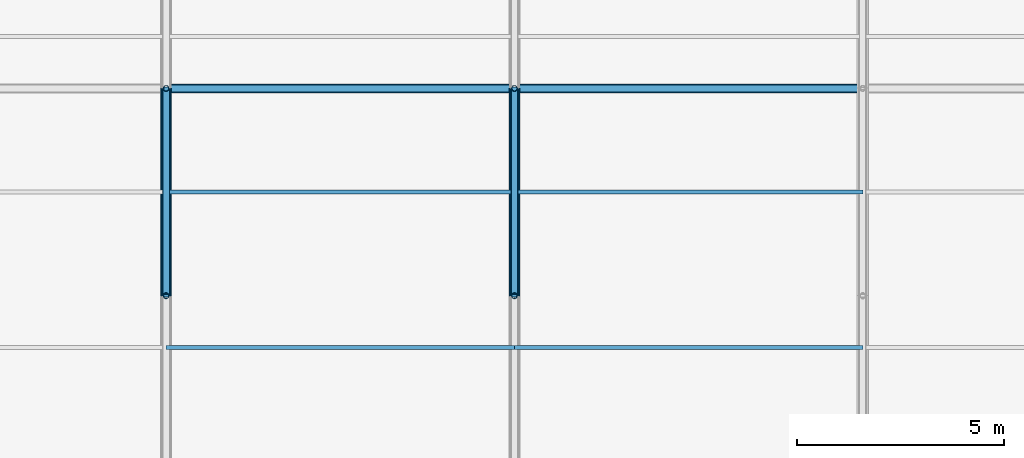
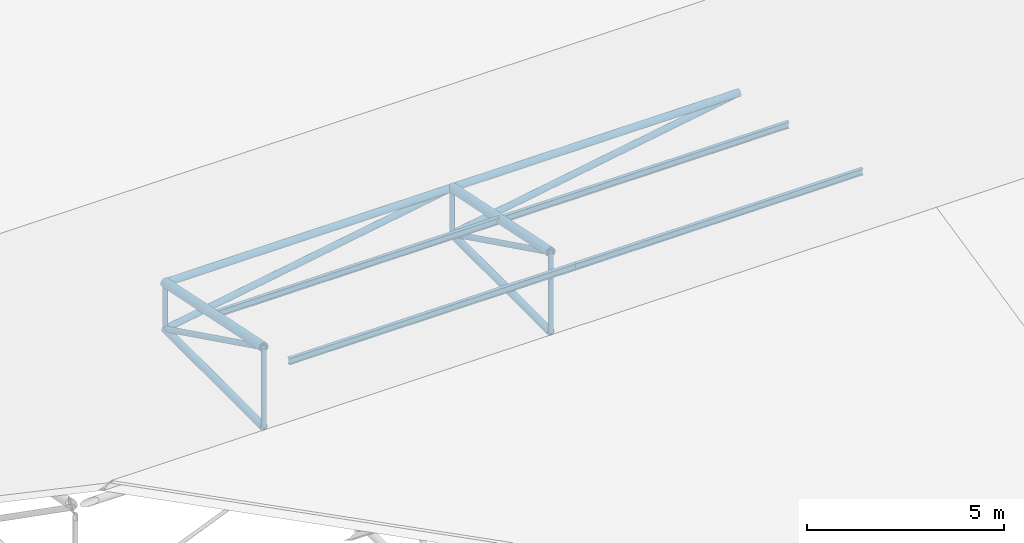
# One storey, part 75 of 194: 14 members, 4 beams.
"""IFC4 building model written with IfcOpenShell, lengths in metres."""

from ifc_helpers import new_model, si_unit, direction, frame, origin, origin_2d, place, context, subcontext, project, spatial, hollow_circle, i_section, extrude, material, material_profile, profile_set, type_object, element, save


model = new_model("IFC4")

# Units and contexts
model_context = context("Model", 3, precision=1e-05, world=origin(), true_north=direction((0.0, 1.0)))
body_context = subcontext(model_context, "Body", "Model", "MODEL_VIEW")
ifc_project = project(units=[si_unit("LENGTHUNIT", "METRE"), si_unit("AREAUNIT", "SQUARE_METRE"), si_unit("VOLUMEUNIT", "CUBIC_METRE"), si_unit("PLANEANGLEUNIT", "RADIAN"), si_unit("MASSUNIT", "GRAM", prefix="KILO")], contexts=[model_context])

# Site, building, storey
site_placement = place(None, origin())
site = spatial("IfcSite", under=ifc_project, at=site_placement, CompositionType="ELEMENT")
building_placement = place(site_placement, origin())
building = spatial("IfcBuilding", under=site, at=building_placement, Name="Kazenagashi Tramway Depot", CompositionType="ELEMENT")
storey_placement = place(building_placement, frame((0.0, 0.0, 23.7)))
storey = spatial("IfcBuildingStorey", under=building, at=storey_placement, Name="ROOF", CompositionType="ELEMENT", Elevation=23.7)

# Beams
ifc_material_1 = material(Name="Steel SN400B", Category="steel")
ifc_material_profile_1 = material_profile(ifc_material_1, i_section(OverallWidth=0.1, OverallDepth=0.2, WebThickness=0.0055, FlangeThickness=0.008, at=origin_2d()), Name="H-200x100x5.5x8")
ifc_profile_set_1 = profile_set([ifc_material_profile_1], Name="Steel SN400B")
beam_type = type_object("IfcBeamType", Name="PR-01", PredefinedType="USERDEFINED", material=ifc_profile_set_1)
for number, where, z_axis, x_axis, name in (
    (1, (128.8, 88.75, -11.305), (1.0, 0.0, 0.0), (0.0, 1.0, 0.0), "Beam PR-01 BM-2082"),
    (2, (137.2, 88.75, -11.305), (1.0, 0.0, 0.0), (0.0, 1.0, 0.0), "Beam PR-01 BM-2083"),
    (3, (128.8, 92.5, -12.13), (1.0, 0.0, 0.0), (0.0, 1.0, 0.0), "Beam PR-01 BM-2100"),
    (4, (137.2, 92.5, -12.13), (1.0, 0.0, 0.0), (0.0, 1.0, 0.0), "Beam PR-01 BM-2101"),
):
    element("IfcBeam", number, at=place(storey_placement, frame(where, z_axis=z_axis, x_axis=x_axis)), inside=storey, type_object=beam_type, Name=name, ObjectType="PURLIN", PredefinedType="USERDEFINED", context=body_context, shape_type="SweptSolid", body=[
        extrude(i_section(OverallWidth=0.1, OverallDepth=0.2, WebThickness=0.0055, FlangeThickness=0.008, at=origin_2d()), origin(), (0.0, 0.0, 1.0), 8.4),
    ])

# Members
ifc_material_2 = material(Name="Steel STK490", Category="steel")
ifc_material_profile_2 = material_profile(ifc_material_2, hollow_circle(Radius=0.1337, WallThickness=0.0093, at=origin_2d()), Name="CHS-267.4x9.3")
ifc_profile_set_2 = profile_set([ifc_material_profile_2], Name="Steel STK490")
member_type_1 = type_object("IfcMemberType", Name="TC-01", PredefinedType="CHORD", material=ifc_profile_set_2)
for number, where, z_axis, x_axis, name in (
    (5, (128.8, 90.0, -11.633), (0.0, 0.979279174591, -0.202514933305), (-1.0, 0.0, 0.0), "Tubular Space Frame TC-01 MEM-0623"),
    (6, (137.2, 90.0, -11.633), (0.0, 0.979279174591, -0.202514933305), (-1.0, 0.0, 0.0), "Tubular Space Frame TC-01 MEM-0684"),
):
    element("IfcMember", number, at=place(storey_placement, frame(where, z_axis=z_axis, x_axis=x_axis)), inside=storey, type_object=member_type_1, Name=name, PredefinedType="CHORD", context=body_context, shape_type="SweptSolid", body=[
        extrude(hollow_circle(Radius=0.1337, WallThickness=0.0093, at=origin_2d()), origin(), (0.0, 0.0, 1.0), 5.105796),
    ])
ifc_material_profile_3 = material_profile(ifc_material_2, hollow_circle(Radius=0.10815, WallThickness=0.0082, at=origin_2d()), Name="CHS-216.3x8.2")
ifc_profile_set_3 = profile_set([ifc_material_profile_3], Name="Steel STK490")
member_type_2 = type_object("IfcMemberType", Name="TC-02", PredefinedType="CHORD", material=ifc_profile_set_3)
member_1_placement = place(storey_placement, frame((128.8, 90.0, -14.1), z_axis=(0.0, 1.0, 0.0), x_axis=(-1.0, 0.0, 0.0)))
element("IfcMember", 7, at=member_1_placement, inside=storey, type_object=member_type_2, Name="Tubular Space Frame TC-02 MEM-0624", PredefinedType="CHORD", context=body_context, shape_type="SweptSolid", body=[
    extrude(hollow_circle(Radius=0.10815, WallThickness=0.0082, at=origin_2d()), origin(), (0.0, 0.0, 1.0), 5.0),
])
member_2_placement = place(storey_placement, frame((128.8, 95.0, -12.667), z_axis=(1.0, 0.0, 0.0), x_axis=(0.0, 1.0, 0.0)))
element("IfcMember", 8, at=member_2_placement, inside=storey, type_object=member_type_2, Name="Tubular Space Frame TC-02 MEM-0640", PredefinedType="CHORD", context=body_context, shape_type="SweptSolid", body=[
    extrude(hollow_circle(Radius=0.10815, WallThickness=0.0082, at=origin_2d()), origin(), (0.0, 0.0, 1.0), 8.4),
])
member_3_placement = place(storey_placement, frame((137.2, 90.0, -14.1), z_axis=(0.0, 1.0, 0.0), x_axis=(-1.0, 0.0, 0.0)))
element("IfcMember", 9, at=member_3_placement, inside=storey, type_object=member_type_2, Name="Tubular Space Frame TC-02 MEM-0685", PredefinedType="CHORD", context=body_context, shape_type="SweptSolid", body=[
    extrude(hollow_circle(Radius=0.10815, WallThickness=0.0082, at=origin_2d()), origin(), (0.0, 0.0, 1.0), 5.0),
])
member_4_placement = place(storey_placement, frame((137.2, 95.0, -12.667), z_axis=(1.0, 0.0, 0.0), x_axis=(0.0, 1.0, 0.0)))
element("IfcMember", 10, at=member_4_placement, inside=storey, type_object=member_type_2, Name="Tubular Space Frame TC-02 MEM-0701", PredefinedType="CHORD", context=body_context, shape_type="SweptSolid", body=[
    extrude(hollow_circle(Radius=0.10815, WallThickness=0.0082, at=origin_2d()), origin(), (0.0, 0.0, 1.0), 8.4),
])
ifc_material_profile_4 = material_profile(ifc_material_2, hollow_circle(Radius=0.0826, WallThickness=0.0071, at=origin_2d()), Name="CHS-165.2x7.1")
ifc_profile_set_4 = profile_set([ifc_material_profile_4], Name="Steel STK490")
member_type_3 = type_object("IfcMemberType", Name="TS-01", PredefinedType="STRUT", material=ifc_profile_set_4)
for number, where, z_axis, x_axis, name in (
    (11, (128.8, 90.0, -11.633), (0.0, 0.896782162482, -0.442472318969), (-1.0, 0.0, 0.0), "Tubular Space Frame TS-01 MEM-0625"),
    (12, (137.2, 90.0, -11.633), (0.0, 0.896782162482, -0.442472318969), (-1.0, 0.0, 0.0), "Tubular Space Frame TS-01 MEM-0686"),
):
    element("IfcMember", number, at=place(storey_placement, frame(where, z_axis=z_axis, x_axis=x_axis)), inside=storey, type_object=member_type_3, Name=name, PredefinedType="STRUT", context=body_context, shape_type="SweptSolid", body=[
        extrude(hollow_circle(Radius=0.0826, WallThickness=0.0071, at=origin_2d()), origin(), (0.0, 0.0, 1.0), 5.57549),
    ])
ifc_material_profile_5 = material_profile(ifc_material_2, hollow_circle(Radius=0.0699, WallThickness=0.0066, at=origin_2d()), Name="CHS-139.8x6.6")
ifc_profile_set_5 = profile_set([ifc_material_profile_5], Name="Steel STK490")
member_type_4 = type_object("IfcMemberType", Name="TS-02", PredefinedType="STRUT", material=ifc_profile_set_5)
member_5_placement = place(storey_placement, frame((128.8, 90.0, -14.1), z_axis=(0.0, 0.0, 1.0), x_axis=(1.0, 0.0, 0.0)))
element("IfcMember", 13, at=member_5_placement, inside=storey, type_object=member_type_4, Name="Tubular Space Frame TS-02 MEM-0633", PredefinedType="STRUT", context=body_context, shape_type="SweptSolid", body=[
    extrude(hollow_circle(Radius=0.0699, WallThickness=0.0066, at=origin_2d()), origin(), (0.0, 0.0, 1.0), 2.467),
])
member_6_placement = place(storey_placement, frame((128.8, 95.0, -14.1), z_axis=(0.0, 0.0, 1.0), x_axis=(1.0, 0.0, 0.0)))
element("IfcMember", 14, at=member_6_placement, inside=storey, type_object=member_type_4, Name="Tubular Space Frame TS-02 MEM-0634", PredefinedType="STRUT", context=body_context, shape_type="SweptSolid", body=[
    extrude(hollow_circle(Radius=0.0699, WallThickness=0.0066, at=origin_2d()), origin(), (0.0, 0.0, 1.0), 1.433),
])
member_7_placement = place(storey_placement, frame((137.2, 90.0, -14.1), z_axis=(0.0, 0.0, 1.0), x_axis=(1.0, 0.0, 0.0)))
element("IfcMember", 15, at=member_7_placement, inside=storey, type_object=member_type_4, Name="Tubular Space Frame TS-02 MEM-0694", PredefinedType="STRUT", context=body_context, shape_type="SweptSolid", body=[
    extrude(hollow_circle(Radius=0.0699, WallThickness=0.0066, at=origin_2d()), origin(), (0.0, 0.0, 1.0), 2.467),
])
member_8_placement = place(storey_placement, frame((137.2, 95.0, -14.1), z_axis=(0.0, 0.0, 1.0), x_axis=(1.0, 0.0, 0.0)))
element("IfcMember", 16, at=member_8_placement, inside=storey, type_object=member_type_4, Name="Tubular Space Frame TS-02 MEM-0695", PredefinedType="STRUT", context=body_context, shape_type="SweptSolid", body=[
    extrude(hollow_circle(Radius=0.0699, WallThickness=0.0066, at=origin_2d()), origin(), (0.0, 0.0, 1.0), 1.433),
])
ifc_material_profile_6 = material_profile(ifc_material_2, hollow_circle(Radius=0.09535, WallThickness=0.007, at=origin_2d()), Name="CHS-190.7x7.0")
ifc_profile_set_6 = profile_set([ifc_material_profile_6], Name="Steel STK490")
member_type_5 = type_object("IfcMemberType", Name="TS-05", PredefinedType="STRUT", material=ifc_profile_set_6)
for number, where, z_axis, x_axis, name in (
    (17, (128.8, 95.0, -14.1), (0.985758734117, 0.0, 0.168165745951), (0.0, 1.0, 0.0), "Tubular Space Frame TS-05 MEM-0641"),
    (18, (137.2, 95.0, -14.1), (0.985758734117, 0.0, 0.168165745951), (0.0, 1.0, 0.0), "Tubular Space Frame TS-05 MEM-0702"),
):
    element("IfcMember", number, at=place(storey_placement, frame(where, z_axis=z_axis, x_axis=x_axis)), inside=storey, type_object=member_type_5, Name=name, PredefinedType="STRUT", context=body_context, shape_type="SweptSolid", body=[
        extrude(hollow_circle(Radius=0.09535, WallThickness=0.007, at=origin_2d()), origin(), (0.0, 0.0, 1.0), 8.521355),
    ])

save(model, "model.ifc")
